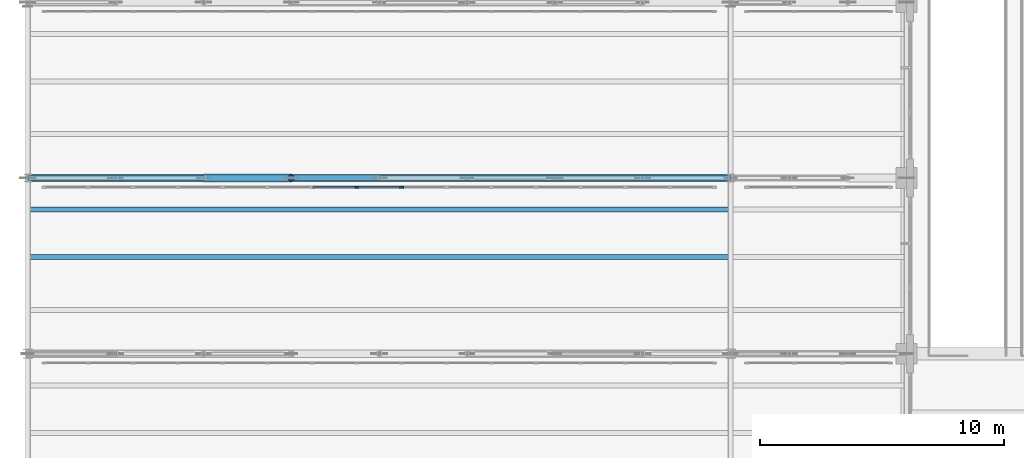
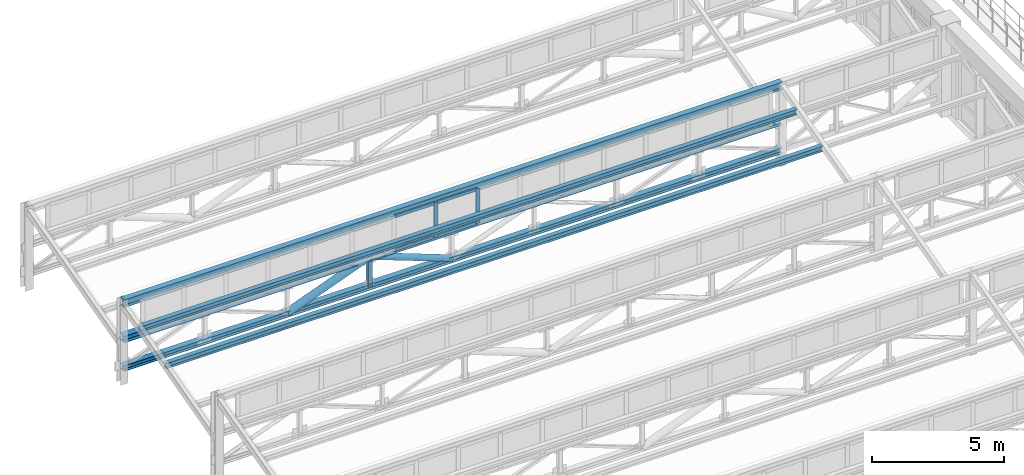
# One storey, part 29 of 98: 11 members, 3 beams, 1 element without a shape of its own.
"""IFC4 building model written with IfcOpenShell, lengths in metres."""

import ifcopenshell
import ifcopenshell.guid

model = None  # the IFC model being written
_history = None  # IfcOwnerHistory: only IFC2X3 demands one
_inside = {}  # id of a spatial element -> (the spatial element, [elements in it])
_under = {}  # id of a project, library or spatial element -> (it, [spatial elements below it])
_declared = {}  # id of a project -> (the project, [libraries it declares])
_typed = {}  # id of a type object -> (the type object, [elements of that type])
_made_of = {}  # id of a material, layer set ... -> (it, [elements and type objects made of it])


def new_model(schema):
    """Start an empty IFC model of exactly this schema.

    Asked for "IFC4X3", IfcOpenShell would pick the latest addendum, in which some entities
    have other attributes; the version numbers below select the first issue.
    IFC2X3 requires an IfcOwnerHistory on every rooted entity: one is made here for all.
    """
    global model, _history
    if schema == "IFC4X3":
        model = ifcopenshell.file(schema_version=(4, 3, 0, 0))
    else:
        model = ifcopenshell.file(schema=schema)
    _inside.clear()
    _under.clear()
    _declared.clear()
    _typed.clear()
    _made_of.clear()
    _history = None
    if model.schema == "IFC2X3":
        org = make("IfcOrganization", Name="unknown")
        user = make(
            "IfcPersonAndOrganization",
            ThePerson=make("IfcPerson", FamilyName="unknown"),
            TheOrganization=org,
        )
        app = make(
            "IfcApplication",
            ApplicationDeveloper=org,
            Version="unknown",
            ApplicationFullName="unknown",
            ApplicationIdentifier="unknown",
        )
        _history = make(
            "IfcOwnerHistory",
            OwningUser=user,
            OwningApplication=app,
            ChangeAction="ADDED",
            CreationDate=0,
        )
    return model


def make(cls, **values):
    """One entity of the class cls with the attributes given. An attribute that is None is left unset."""
    return model.create_entity(
        cls, **{name: value for name, value in values.items() if value is not None}
    )


def rooted(cls, **values):
    """An entity with a GlobalId (a new one), such as an element, a storey or a relation."""
    return make(cls, GlobalId=ifcopenshell.guid.new(), OwnerHistory=_history, **values)


def si_unit(unit_type, name, prefix=None):
    """IfcSIUnit, for example si_unit("LENGTHUNIT", "METRE", prefix="MILLI")."""
    return make("IfcSIUnit", UnitType=unit_type, Prefix=prefix, Name=name)


def assignment(units):
    """IfcUnitAssignment: the units of a project."""
    return None if units is None else make("IfcUnitAssignment", Units=units)


def point(xyz):
    """IfcCartesianPoint."""
    return None if xyz is None else make("IfcCartesianPoint", Coordinates=xyz)


def direction(xyz):
    """IfcDirection."""
    return None if xyz is None else make("IfcDirection", DirectionRatios=xyz)


def frame(location, z_axis=None, x_axis=None):
    """IfcAxis2Placement3D, a coordinate frame: its origin and axes. An axis left out is left unset."""
    return make(
        "IfcAxis2Placement3D",
        Location=point(location),
        Axis=direction(z_axis),
        RefDirection=direction(x_axis),
    )


def frame_2d(location, x_axis=None):
    """IfcAxis2Placement2D, a coordinate frame in the plane: its origin and x axis."""
    return make(
        "IfcAxis2Placement2D", Location=point(location), RefDirection=direction(x_axis)
    )


def origin():
    """The frame at (0, 0, 0) with its axes left unset."""
    return frame((0.0, 0.0, 0.0))


def origin_2d():
    """The frame at (0, 0) in the plane with its x axis left unset."""
    return frame_2d((0.0, 0.0))


def place(relative_to, where):
    """IfcLocalPlacement: puts the frame where relative to a parent placement (None: the world)."""
    return make(
        "IfcLocalPlacement", PlacementRelTo=relative_to, RelativePlacement=where
    )


def context(
    kind, dimensions, precision=None, world=None, true_north=None, identifier=None
):
    """IfcGeometricRepresentationContext, for example the 3D "Model" context."""
    return make(
        "IfcGeometricRepresentationContext",
        ContextIdentifier=identifier,
        ContextType=kind,
        CoordinateSpaceDimension=dimensions,
        Precision=precision,
        WorldCoordinateSystem=world,
        TrueNorth=true_north,
    )


def subcontext(parent, identifier, kind, view, scale=None):
    """IfcGeometricRepresentationSubContext, for example "Body" below "Model"."""
    return make(
        "IfcGeometricRepresentationSubContext",
        ContextIdentifier=identifier,
        ContextType=kind,
        ParentContext=parent,
        TargetScale=scale,
        TargetView=view,
    )


def project(units=None, contexts=None):
    """IfcProject with its units and contexts."""
    return rooted(
        "IfcProject",
        Name="project",
        RepresentationContexts=contexts,
        UnitsInContext=assignment(units),
    )


def spatial(cls, under=None, at=None, **own):
    """A site, building, storey or space (cls), placed at a placement, below another one or the project."""
    s = rooted(cls, ObjectPlacement=at, **own)
    if under is not None:
        _under.setdefault(under.id(), (under, []))[1].append(s)
    return s


def profile(cls, at=None, kind="AREA", **sizes):
    """A parametric profile (cls). Its sizes go by their IFC names, for example OverallWidth=200.0."""
    return make(cls, ProfileType=kind, Position=at, **sizes)


def rectangle(**sizes):
    """IfcRectangleProfileDef."""
    return profile("IfcRectangleProfileDef", **sizes)


def hollow_rectangle(**sizes):
    """IfcRectangleHollowProfileDef."""
    return profile("IfcRectangleHollowProfileDef", **sizes)


def hollow_circle(**sizes):
    """IfcCircleHollowProfileDef."""
    return profile("IfcCircleHollowProfileDef", **sizes)


def i_section(**sizes):
    """IfcIShapeProfileDef."""
    return profile("IfcIShapeProfileDef", **sizes)


def extrude(swept, where, along, depth):
    """IfcExtrudedAreaSolid: the profile swept, set in the frame where, extruded along a direction by depth."""
    return make(
        "IfcExtrudedAreaSolid",
        SweptArea=swept,
        Position=where,
        ExtrudedDirection=direction(along),
        Depth=depth,
    )


def shape(context_of_items, identifier, shape_type, items):
    """IfcShapeRepresentation: the items that make up one representation, for example the "Body"."""
    return make(
        "IfcShapeRepresentation",
        ContextOfItems=context_of_items,
        RepresentationIdentifier=identifier,
        RepresentationType=shape_type,
        Items=items,
    )


def material(Name=None, Category=None):
    """IfcMaterial."""
    return make("IfcMaterial", Name=Name, Category=Category)


def layer(
    of_material, thickness, ventilated=None, Name=None, Category=None, Priority=None
):
    """IfcMaterialLayer: one layer of a wall or slab, of a material (None: an air gap)."""
    return make(
        "IfcMaterialLayer",
        Material=of_material,
        LayerThickness=thickness,
        IsVentilated=ventilated,
        Name=Name,
        Category=Category,
        Priority=Priority,
    )


def layer_set(layers, Name=None):
    """IfcMaterialLayerSet."""
    return make("IfcMaterialLayerSet", MaterialLayers=layers, LayerSetName=Name)


def material_profile(
    of_material, cross_section, Name=None, Category=None, Priority=None
):
    """IfcMaterialProfile: a cross section and its material."""
    return make(
        "IfcMaterialProfile",
        Name=Name,
        Material=of_material,
        Profile=cross_section,
        Priority=Priority,
        Category=Category,
    )


def profile_set(profiles, Name=None, composite=None):
    """IfcMaterialProfileSet."""
    return make(
        "IfcMaterialProfileSet",
        Name=Name,
        MaterialProfiles=profiles,
        CompositeProfile=composite,
    )


def made_of(thing, what):
    """Note that an element or type object is made of a material, layer set ...; save() writes the relation."""
    if what is not None:
        _made_of.setdefault(what.id(), (what, []))[1].append(thing)
    return thing


def type_object(cls, material=None, **own):
    """A type object (cls), such as IfcWallType, which elements share."""
    return made_of(rooted(cls, **own), material)


def element(
    cls,
    number,
    at=None,
    inside=None,
    cuts=None,
    type_object=None,
    material=None,
    context=None,
    identifier="Body",
    shape_type=None,
    held_by="IfcProductDefinitionShape",
    body=None,
    shapes=None,
    **own,
):
    """One element of the class cls, such as IfcWall. Its Tag is "e" and its number.

    at: its placement. inside: the storey or other place that contains it. cuts: it is an
    opening in that element (IfcRelVoidsElement). A single representation is given by context,
    identifier, shape_type and body (its items); several are given by shapes. held_by: the class
    of the entity that holds the representations. save() writes the other relations.
    """
    e = rooted(cls, Tag="e%d" % number, ObjectPlacement=at, **own)
    if body is not None:
        shapes = [shape(context, identifier, shape_type, body)]
    if shapes is not None:
        e.Representation = make(held_by, Representations=shapes)
    if inside is not None:
        _inside.setdefault(inside.id(), (inside, []))[1].append(e)
    if cuts is not None:
        rooted(
            "IfcRelVoidsElement", RelatingBuildingElement=cuts, RelatedOpeningElement=e
        )
    if type_object is not None:
        _typed.setdefault(type_object.id(), (type_object, []))[1].append(e)
    return made_of(e, material)


def aggregate(whole, parts):
    """IfcRelAggregates: a whole, such as a stair, and the parts it consists of."""
    return rooted("IfcRelAggregates", RelatingObject=whole, RelatedObjects=parts)


def save(model, path):
    """Write the relations noted so far, then the file.

    IfcRelAggregates (storeys below a building ...), IfcRelContainedInSpatialStructure (elements
    in a storey), IfcRelDefinesByType, IfcRelAssociatesMaterial and IfcRelDeclares: one each for
    every whole, place, type object, material and project.
    """
    for whole, parts in _under.values():
        aggregate(whole, parts)
    for where, things in _inside.values():
        rooted(
            "IfcRelContainedInSpatialStructure",
            RelatedElements=things,
            RelatingStructure=where,
        )
    for kind, things in _typed.values():
        rooted("IfcRelDefinesByType", RelatedObjects=things, RelatingType=kind)
    for what, things in _made_of.values():
        rooted("IfcRelAssociatesMaterial", RelatedObjects=things, RelatingMaterial=what)
    for by, libraries in _declared.values():
        rooted("IfcRelDeclares", RelatingContext=by, RelatedDefinitions=libraries)
    model.write(path)


model = new_model("IFC4")

# Units and contexts
model_context = context("Model", 3, precision=1e-05, world=origin(), true_north=direction((0.0, 1.0)))
body_context = subcontext(model_context, "Body", "Model", "MODEL_VIEW")
ifc_project = project(units=[si_unit("LENGTHUNIT", "METRE"), si_unit("AREAUNIT", "SQUARE_METRE"), si_unit("VOLUMEUNIT", "CUBIC_METRE"), si_unit("PLANEANGLEUNIT", "RADIAN"), si_unit("MASSUNIT", "GRAM", prefix="KILO")], contexts=[model_context])

# Site, building, storey
site_placement = place(None, origin())
site = spatial("IfcSite", under=ifc_project, at=site_placement, CompositionType="ELEMENT")
building_placement = place(site_placement, origin())
building = spatial("IfcBuilding", under=site, at=building_placement, Name="Solenvale Faculty of Natural Sciences", CompositionType="ELEMENT")
storey_placement = place(building_placement, frame((0.0, 0.0, 9.0)))
storey = spatial("IfcBuildingStorey", under=building, at=storey_placement, Name="L02", CompositionType="ELEMENT", Elevation=9.0)

# Beams
ifc_material_1 = material(Name="Steel S355", Category="steel")
ifc_material_profile_1 = material_profile(ifc_material_1, i_section(OverallWidth=0.202880859375, OverallDepth=0.251953125, WebThickness=0.008056640625, FlangeThickness=0.013427734375, FilletRadius=0.012939453125, at=origin_2d()), Name="W250x58")
ifc_profile_set_1 = profile_set([ifc_material_profile_1], Name="Steel S355")
beam_type_1 = type_object("IfcBeamType", Name="BM-PRL-W250x58", PredefinedType="JOIST", material=ifc_profile_set_1)
for number, where, z_axis, x_axis, name in (
    (1, (0.0, 32.760009765625, 2.75830078125), (1.0, 0.0, 0.0), (0.0, 1.0, 0.0), "V1 Sawtooth Purlin 5.1.2"),
    (2, (0.0, 34.7041015625, 3.279296875), (1.0, 0.0, 0.0), (0.0, 1.0, 0.0), "V1 Sawtooth Purlin 5.1.3"),
):
    element("IfcBeam", number, at=place(storey_placement, frame(where, z_axis=z_axis, x_axis=x_axis)), inside=storey, type_object=beam_type_1, Name=name, PredefinedType="JOIST", context=body_context, shape_type="SweptSolid", body=[
        extrude(i_section(OverallWidth=0.202880859375, OverallDepth=0.251953125, WebThickness=0.008056640625, FlangeThickness=0.013427734375, FilletRadius=0.012939453125, at=origin_2d()), origin(), (0.0, 0.0, 1.0), 28.7041015625),
    ])
ifc_material_profile_2 = material_profile(ifc_material_1, i_section(OverallWidth=0.2548828125, OverallDepth=0.35693359375, WebThickness=0.010498046875, FlangeThickness=0.018310546875, FilletRadius=0.014892578125, at=origin_2d()), Name="W360x101")
ifc_profile_set_2 = profile_set([ifc_material_profile_2], Name="Steel S355")
beam_type_2 = type_object("IfcBeamType", Name="BM-STL-W360x101", PredefinedType="JOIST", material=ifc_profile_set_2)
beam_placement = place(storey_placement, frame((0.0, 36.0, 3.68896484375), z_axis=(1.0, 0.0, 0.0), x_axis=(0.0, 1.0, 0.0)))
element("IfcBeam", 3, at=beam_placement, inside=storey, type_object=beam_type_2, Name="V1 Sawtooth Clerestory Ridge Beam 5.1", PredefinedType="JOIST", context=body_context, shape_type="SweptSolid", body=[
    extrude(i_section(OverallWidth=0.2548828125, OverallDepth=0.35693359375, WebThickness=0.010498046875, FlangeThickness=0.018310546875, FilletRadius=0.014892578125, at=origin_2d()), origin(), (0.0, 0.0, 1.0), 28.800048828125),
])

# Curtain wall, members
ifc_material_2 = material(Name="Anodised bronze aluminium", Category="aluminium")
ifc_layer = layer(ifc_material_2, 0.1650390625)
ifc_layer_set = layer_set([ifc_layer], Name="Anodised bronze aluminium")
curtain_wall_type = type_object("IfcCurtainWallType", Name="CW-SAW-CLR", PredefinedType="USERDEFINED", material=ifc_layer_set)
curtain_wall_placement = place(storey_placement, origin())
curtain_wall = element("IfcCurtainWall", 4, at=curtain_wall_placement, inside=storey, type_object=curtain_wall_type, Name="L02 Curtain Wall SAW-V1-CW-5-1", ObjectType="NORTH LIGHT CLERESTORY", PredefinedType="USERDEFINED")
ifc_material_profile_3 = material_profile(ifc_material_2, rectangle(XDim=0.06494140625, YDim=0.175048828125, at=origin_2d()), Name="ALU-MUL-65x175")
ifc_profile_set_3 = profile_set([ifc_material_profile_3], Name="Anodised bronze aluminium")
member_type_1 = type_object("IfcMemberType", Name="CWM-ALU-65x175", PredefinedType="MULLION", material=ifc_profile_set_3)
member_1_placement = place(storey_placement, frame((15.3173828125, 35.6201171875, 2.22998046875), z_axis=(0.0, 0.0, 1.0), x_axis=(0.0, -1.0, 0.0)))
member_1 = element("IfcMember", 5, at=member_1_placement, type_object=member_type_1, Name="CW-05 mullion 8", PredefinedType="MULLION", context=body_context, shape_type="SweptSolid", body=[
    extrude(rectangle(XDim=0.06494140625, YDim=0.175048828125, at=origin_2d()), origin(), (0.0, 0.0, 1.0), 1.610107421875),
])
member_2_placement = place(storey_placement, frame((13.482666015625, 35.6201171875, 2.22998046875), z_axis=(0.0, 0.0, 1.0), x_axis=(0.0, -1.0, 0.0)))
member_2 = element("IfcMember", 6, at=member_2_placement, type_object=member_type_1, Name="CW-05 mullion 9", PredefinedType="MULLION", context=body_context, shape_type="SweptSolid", body=[
    extrude(rectangle(XDim=0.06494140625, YDim=0.175048828125, at=origin_2d()), origin(), (0.0, 0.0, 1.0), 1.610107421875),
])
ifc_material_profile_4 = material_profile(ifc_material_2, rectangle(XDim=0.06494140625, YDim=0.135009765625, at=origin_2d()), Name="ALU-TRN-65x135")
ifc_profile_set_4 = profile_set([ifc_material_profile_4], Name="Anodised bronze aluminium")
member_type_2 = type_object("IfcMemberType", Name="CWT-ALU-65x135", PredefinedType="USERDEFINED", material=ifc_profile_set_4)
member_3_placement = place(storey_placement, frame((15.284912109375, 35.6201171875, 2.262451171875), z_axis=(-1.0, 0.0, 0.0), x_axis=(0.0, -1.0, 0.0)))
member_3 = element("IfcMember", 7, at=member_3_placement, type_object=member_type_2, Name="CW-05 transom 8.1", ObjectType="TRANSOM", PredefinedType="USERDEFINED", context=body_context, shape_type="SweptSolid", body=[
    extrude(rectangle(XDim=0.06494140625, YDim=0.135009765625, at=origin_2d()), origin(), (0.0, 0.0, 1.0), 1.769775390625),
])
member_4_placement = place(storey_placement, frame((15.284912109375, 35.6201171875, 3.8076171875), z_axis=(-1.0, 0.0, 0.0), x_axis=(0.0, -1.0, 0.0)))
member_4 = element("IfcMember", 8, at=member_4_placement, type_object=member_type_2, Name="CW-05 transom 8.2", ObjectType="TRANSOM", PredefinedType="USERDEFINED", context=body_context, shape_type="SweptSolid", body=[
    extrude(rectangle(XDim=0.06494140625, YDim=0.135009765625, at=origin_2d()), origin(), (0.0, 0.0, 1.0), 1.769775390625),
])
member_5_placement = place(storey_placement, frame((13.4501953125, 35.6201171875, 2.262451171875), z_axis=(-1.0, 0.0, 0.0), x_axis=(0.0, -1.0, 0.0)))
member_5 = element("IfcMember", 9, at=member_5_placement, type_object=member_type_2, Name="CW-05 transom 9.1", ObjectType="TRANSOM", PredefinedType="USERDEFINED", context=body_context, shape_type="SweptSolid", body=[
    extrude(rectangle(XDim=0.06494140625, YDim=0.135009765625, at=origin_2d()), origin(), (0.0, 0.0, 1.0), 1.769775390625),
])
member_6_placement = place(storey_placement, frame((13.4501953125, 35.6201171875, 3.8076171875), z_axis=(-1.0, 0.0, 0.0), x_axis=(0.0, -1.0, 0.0)))
member_6 = element("IfcMember", 10, at=member_6_placement, type_object=member_type_2, Name="CW-05 transom 9.2", ObjectType="TRANSOM", PredefinedType="USERDEFINED", context=body_context, shape_type="SweptSolid", body=[
    extrude(rectangle(XDim=0.06494140625, YDim=0.135009765625, at=origin_2d()), origin(), (0.0, 0.0, 1.0), 1.769775390625),
])
aggregate(curtain_wall, [member_1, member_2, member_3, member_4, member_5, member_6])

# Members
ifc_material_profile_5 = material_profile(ifc_material_1, hollow_circle(Radius=0.136474609375, WallThickness=0.010986328125, at=origin_2d()), Name="HSS273x11")
ifc_profile_set_5 = profile_set([ifc_material_profile_5], Name="Steel S355")
member_type_3 = type_object("IfcMemberType", Name="MB-BRC-CHS273", PredefinedType="BRACE", material=ifc_profile_set_5)
member_7_placement = place(storey_placement, frame((10.800048828125, 36.0, 2.050048828125), z_axis=(0.935458110384, 0.0, -0.353437581075), x_axis=(0.0, 1.0, 0.0)))
element("IfcMember", 11, at=member_7_placement, inside=storey, type_object=member_type_3, Name="V1 Truss 5.1 Diagonal 4", PredefinedType="BRACE", context=body_context, shape_type="SweptSolid", body=[
    extrude(hollow_circle(Radius=0.136474609375, WallThickness=0.010986328125, at=origin_2d()), origin(), (0.0, 0.0, 1.0), 3.84814453125),
])
ifc_material_profile_6 = material_profile(ifc_material_1, hollow_circle(Radius=0.161865234375, WallThickness=0.0126953125, at=origin_2d()), Name="HSS324x13")
ifc_profile_set_6 = profile_set([ifc_material_profile_6], Name="Steel S355")
member_type_4 = type_object("IfcMemberType", Name="MB-BRC-CHS324", PredefinedType="BRACE", material=ifc_profile_set_6)
member_8_placement = place(storey_placement, frame((7.199951171875, 36.0, 0.68994140625), z_axis=(0.935466034784, 0.0, 0.353416606522), x_axis=(0.0, 1.0, 0.0)))
element("IfcMember", 12, at=member_8_placement, inside=storey, type_object=member_type_4, Name="V1 Truss 5.1 Diagonal 3", PredefinedType="BRACE", context=body_context, shape_type="SweptSolid", body=[
    extrude(hollow_circle(Radius=0.161865234375, WallThickness=0.0126953125, at=origin_2d()), origin(), (0.0, 0.0, 1.0), 3.848388671875),
])
ifc_material_profile_7 = material_profile(ifc_material_1, i_section(OverallWidth=0.256103515625, OverallDepth=0.260009765625, WebThickness=0.0107421875, FlangeThickness=0.017333984375, FilletRadius=0.012939453125, at=origin_2d()), Name="W250x89")
ifc_profile_set_7 = profile_set([ifc_material_profile_7], Name="Steel S355")
member_type_5 = type_object("IfcMemberType", Name="MB-CHD-W250x89", PredefinedType="CHORD", material=ifc_profile_set_7)
member_9_placement = place(storey_placement, frame((0.0, 36.0, 0.68994140625), z_axis=(1.0, 0.0, 0.0), x_axis=(0.0, 1.0, 0.0)))
element("IfcMember", 13, at=member_9_placement, inside=storey, type_object=member_type_5, Name="V1 Truss 5.1 Bottom Chord", PredefinedType="CHORD", context=body_context, shape_type="SweptSolid", body=[
    extrude(i_section(OverallWidth=0.256103515625, OverallDepth=0.260009765625, WebThickness=0.0107421875, FlangeThickness=0.017333984375, FilletRadius=0.012939453125, at=origin_2d()), origin(), (0.0, 0.0, 1.0), 28.800048828125),
])
ifc_material_profile_8 = material_profile(ifc_material_1, i_section(OverallWidth=0.304931640625, OverallDepth=0.30810546875, WebThickness=0.010009765625, FlangeThickness=0.015380859375, FilletRadius=0.014892578125, at=origin_2d()), Name="W310x97")
ifc_profile_set_8 = profile_set([ifc_material_profile_8], Name="Steel S355")
member_type_6 = type_object("IfcMemberType", Name="MB-CHD-W310x97", PredefinedType="CHORD", material=ifc_profile_set_8)
member_10_placement = place(storey_placement, frame((0.0, 36.0, 2.050048828125), z_axis=(1.0, 0.0, 0.0), x_axis=(0.0, 1.0, 0.0)))
element("IfcMember", 14, at=member_10_placement, inside=storey, type_object=member_type_6, Name="V1 Truss 5.1 Top Chord", PredefinedType="CHORD", context=body_context, shape_type="SweptSolid", body=[
    extrude(i_section(OverallWidth=0.304931640625, OverallDepth=0.30810546875, WebThickness=0.010009765625, FlangeThickness=0.015380859375, FilletRadius=0.014892578125, at=origin_2d()), origin(), (0.0, 0.0, 1.0), 28.800048828125),
])
ifc_material_profile_9 = material_profile(ifc_material_1, hollow_rectangle(XDim=0.202880859375, YDim=0.202880859375, WallThickness=0.0126953125, InnerFilletRadius=0.0126953125, OuterFilletRadius=0.025390625, at=origin_2d()), Name="HSS203x203x13")
ifc_profile_set_9 = profile_set([ifc_material_profile_9], Name="Steel S355")
member_type_7 = type_object("IfcMemberType", Name="MB-STR-HSS203", PredefinedType="STRUT", material=ifc_profile_set_9)
member_11_placement = place(storey_placement, frame((10.800048828125, 36.0, 0.68994140625), z_axis=(0.0, 0.0, 1.0), x_axis=(1.0, 0.0, 0.0)))
element("IfcMember", 15, at=member_11_placement, inside=storey, type_object=member_type_7, Name="V1 Truss 5.1 Strut 3", PredefinedType="STRUT", context=body_context, shape_type="SweptSolid", body=[
    extrude(hollow_rectangle(XDim=0.202880859375, YDim=0.202880859375, WallThickness=0.0126953125, InnerFilletRadius=0.0126953125, OuterFilletRadius=0.025390625, at=origin_2d()), origin(), (0.0, 0.0, 1.0), 1.360107421875),
])

save(model, "model.ifc")
